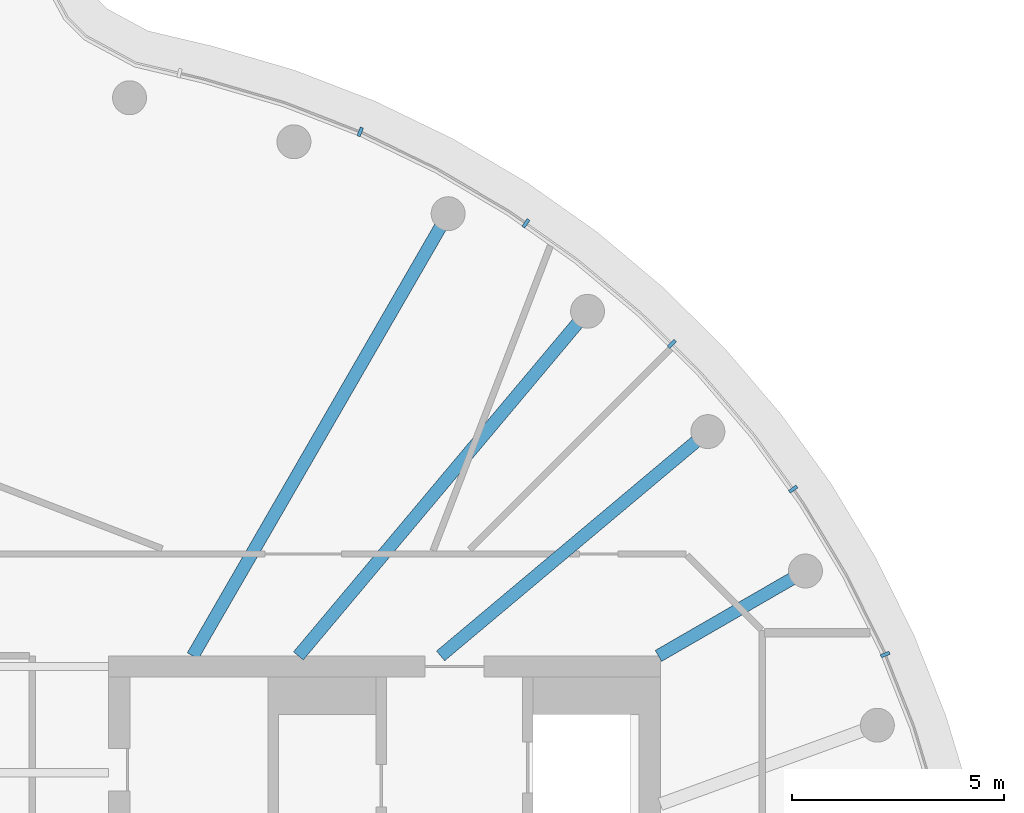
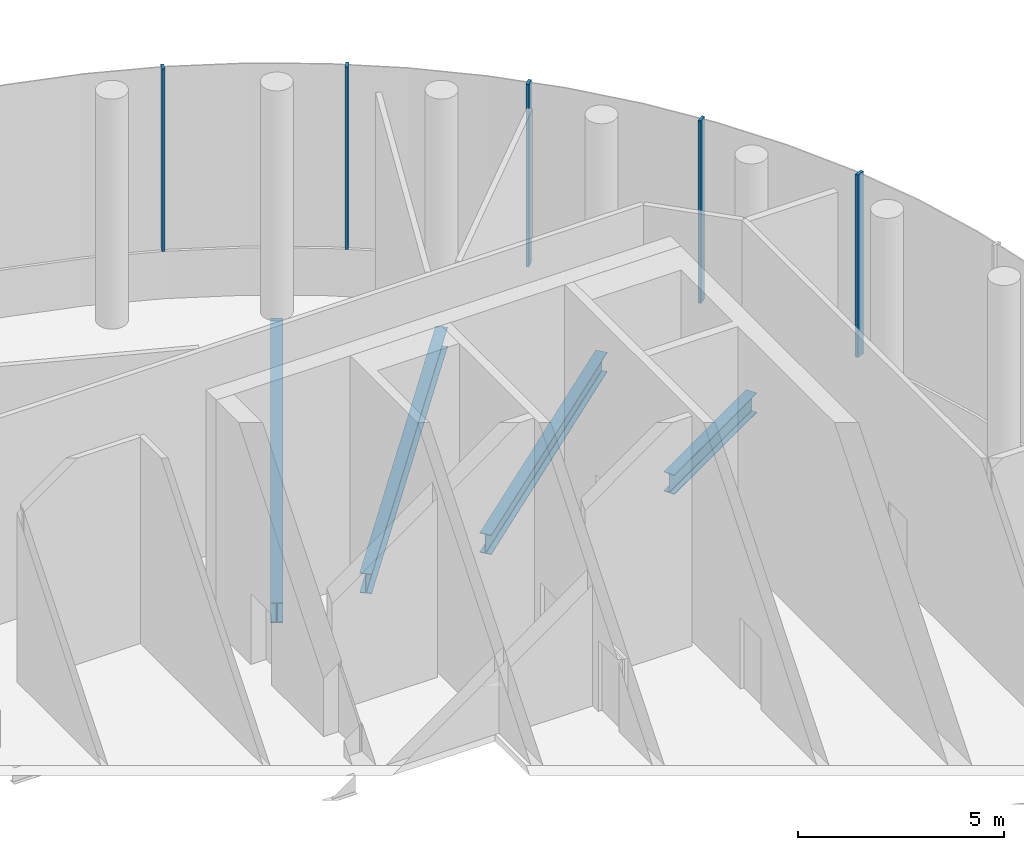
# One storey, part 6 of 12: 5 members, 4 beams, 1 element without a shape of its own.
"""IFC4 building model written with IfcOpenShell, lengths in metres."""

from ifc_helpers import new_model, si_unit, direction, frame, origin, origin_2d, place, context, subcontext, project, spatial, rectangle, i_section, extrude, material, layer, layer_set, material_profile, profile_set, type_object, element, aggregate, save


model = new_model("IFC4")

# Units and contexts
model_context = context("Model", 3, precision=1e-05, world=origin(), true_north=direction((0.0, 1.0)))
body_context = subcontext(model_context, "Body", "Model", "MODEL_VIEW")
ifc_project = project(units=[si_unit("LENGTHUNIT", "METRE"), si_unit("AREAUNIT", "SQUARE_METRE"), si_unit("VOLUMEUNIT", "CUBIC_METRE"), si_unit("PLANEANGLEUNIT", "RADIAN"), si_unit("MASSUNIT", "GRAM", prefix="KILO")], contexts=[model_context])

# Site, building, storey
site_placement = place(None, origin())
site = spatial("IfcSite", under=ifc_project, at=site_placement, CompositionType="ELEMENT")
building_placement = place(site_placement, origin())
building = spatial("IfcBuilding", under=site, at=building_placement, Name="Tamarind Cross Interchange Tower", CompositionType="ELEMENT")
storey_placement = place(building_placement, frame((0.0, 0.0, 287.39990234375)))
storey = spatial("IfcBuildingStorey", under=building, at=storey_placement, Name="L72", CompositionType="ELEMENT", Elevation=287.39990234375)

# Beams
ifc_material_1 = material(Name="Steel Q355B", Category="steel")
ifc_material_profile_1 = material_profile(ifc_material_1, i_section(OverallWidth=0.300048828125, OverallDepth=0.58203125, WebThickness=0.011962890625, FlangeThickness=0.01708984375, FilletRadius=0.01806640625, at=origin_2d()), Name="HM 582x300x12x17")
ifc_profile_set_1 = profile_set([ifc_material_profile_1], Name="Steel Q355B")
beam_type = type_object("IfcBeamType", Name="Composite beam HM 582x300x12x17 Q355B", PredefinedType="BEAM", material=ifc_profile_set_1)
beam_1_placement = place(storey_placement, frame((19.918701171875, 11.5, -0.490966796875), z_axis=(-0.866026010844, -0.49999894854, 0.0), x_axis=(0.49999894854, -0.866026010844, 0.0)))
element("IfcBeam", 1, at=beam_1_placement, inside=storey, type_object=beam_type, Name="Beam HH03", PredefinedType="BEAM", context=body_context, shape_type="SweptSolid", body=[
    extrude(i_section(OverallWidth=0.300048828125, OverallDepth=0.58203125, WebThickness=0.011962890625, FlangeThickness=0.01708984375, FilletRadius=0.01806640625, at=origin_2d()), origin(), (0.0, 0.0, 1.0), 4.0),
])
beam_2_placement = place(storey_placement, frame((17.619140625, 14.7841796875, -0.490966796875), z_axis=(-0.766040580814, -0.642792212574, 0.0), x_axis=(0.642792212574, -0.766040580814, 0.0)))
element("IfcBeam", 2, at=beam_2_placement, inside=storey, type_object=beam_type, Name="Beam HH04", PredefinedType="BEAM", context=body_context, shape_type="SweptSolid", body=[
    extrude(i_section(OverallWidth=0.300048828125, OverallDepth=0.58203125, WebThickness=0.011962890625, FlangeThickness=0.01708984375, FilletRadius=0.01806640625, at=origin_2d()), origin(), (0.0, 0.0, 1.0), 8.220703125),
])
beam_3_placement = place(storey_placement, frame((14.7841796875, 17.619140625, -0.490966796875), z_axis=(-0.642786293979, -0.766045547127, 0.0), x_axis=(0.766045547127, -0.642786293979, 0.0)))
element("IfcBeam", 3, at=beam_3_placement, inside=storey, type_object=beam_type, Name="Beam HH05", PredefinedType="BEAM", context=body_context, shape_type="SweptSolid", body=[
    extrude(i_section(OverallWidth=0.300048828125, OverallDepth=0.58203125, WebThickness=0.011962890625, FlangeThickness=0.01708984375, FilletRadius=0.01806640625, at=origin_2d()), origin(), (0.0, 0.0, 1.0), 10.598876953125),
])
beam_4_placement = place(storey_placement, frame((11.5, 19.918701171875, -0.490966796875), z_axis=(-0.499993565836, -0.866029118519, 0.0), x_axis=(0.866029118519, -0.499993565836, 0.0)))
element("IfcBeam", 4, at=beam_4_placement, inside=storey, type_object=beam_type, Name="Beam HH06", PredefinedType="BEAM", context=body_context, shape_type="SweptSolid", body=[
    extrude(i_section(OverallWidth=0.300048828125, OverallDepth=0.58203125, WebThickness=0.011962890625, FlangeThickness=0.01708984375, FilletRadius=0.01806640625, at=origin_2d()), origin(), (0.0, 0.0, 1.0), 12.030517578125),
])

# Curtain wall, members
ifc_material_2 = material(Name="Aluminium 6063-T6", Category="aluminium")
ifc_layer = layer(ifc_material_2, 0.219970703125)
ifc_layer_set = layer_set([ifc_layer], Name="Aluminium 6063-T6")
curtain_wall_type = type_object("IfcCurtainWallType", Name="Observation deck curtain wall", PredefinedType="NOTDEFINED", material=ifc_layer_set)
curtain_wall_placement = place(storey_placement, origin())
curtain_wall = element("IfcCurtainWall", 5, at=curtain_wall_placement, inside=storey, type_object=curtain_wall_type, Name="CWS-L72-02", PredefinedType="NOTDEFINED")
ifc_material_profile_2 = material_profile(ifc_material_2, rectangle(XDim=0.080078125, YDim=0.219970703125, at=origin_2d()), Name="Mullion CW5")
ifc_profile_set_2 = profile_set([ifc_material_profile_2], Name="Aluminium 6063-T6")
member_type = type_object("IfcMemberType", Name="Mullion CW5", PredefinedType="MULLION", material=ifc_profile_set_2)
member_1_placement = place(storey_placement, frame((21.79736328125, 9.532958984375, 1.400146484375), z_axis=(0.0, 0.0, 1.0), x_axis=(-0.367513773146, 0.930018078613, 0.0)))
member_1 = element("IfcMember", 6, at=member_1_placement, type_object=member_type, Name="CWM-L72-02-24", PredefinedType="MULLION", context=body_context, shape_type="SweptSolid", body=[
    extrude(rectangle(XDim=0.080078125, YDim=0.219970703125, at=origin_2d()), origin(), (0.0, 0.0, 1.0), 5.39990234375),
])
member_2_placement = place(storey_placement, frame((19.628173828125, 13.42919921875, 1.400146484375), z_axis=(0.0, 0.0, 1.0), x_axis=(-0.584573890505, 0.811340475102, 0.0)))
member_2 = element("IfcMember", 7, at=member_2_placement, type_object=member_type, Name="CWM-L72-02-25", PredefinedType="MULLION", context=body_context, shape_type="SweptSolid", body=[
    extrude(rectangle(XDim=0.080078125, YDim=0.219970703125, at=origin_2d()), origin(), (0.0, 0.0, 1.0), 5.39990234375),
])
member_3_placement = place(storey_placement, frame((16.77099609375, 16.8525390625, 1.400146484375), z_axis=(0.0, 0.0, 1.0), x_axis=(-0.710143317658, 0.704057148523, 0.0)))
member_3 = element("IfcMember", 8, at=member_3_placement, type_object=member_type, Name="CWM-L72-02-26", PredefinedType="MULLION", context=body_context, shape_type="SweptSolid", body=[
    extrude(rectangle(XDim=0.080078125, YDim=0.219970703125, at=origin_2d()), origin(), (0.0, 0.0, 1.0), 5.39990234375),
])
member_4_placement = place(storey_placement, frame((13.332763671875, 19.69140625, 1.400146484375), z_axis=(0.0, 0.0, 1.0), x_axis=(-0.816341886298, 0.577568978284, 0.0)))
member_4 = element("IfcMember", 9, at=member_4_placement, type_object=member_type, Name="CWM-L72-02-27", PredefinedType="MULLION", context=body_context, shape_type="SweptSolid", body=[
    extrude(rectangle(XDim=0.080078125, YDim=0.219970703125, at=origin_2d()), origin(), (0.0, 0.0, 1.0), 5.39990234375),
])
member_5_placement = place(storey_placement, frame((9.428466796875, 21.846435546875, 1.400146484375), z_axis=(0.0, 0.0, 1.0), x_axis=(-0.933146843667, 0.359495435512, 0.0)))
member_5 = element("IfcMember", 10, at=member_5_placement, type_object=member_type, Name="CWM-L72-02-28", PredefinedType="MULLION", context=body_context, shape_type="SweptSolid", body=[
    extrude(rectangle(XDim=0.080078125, YDim=0.219970703125, at=origin_2d()), origin(), (0.0, 0.0, 1.0), 5.39990234375),
])
aggregate(curtain_wall, [member_1, member_2, member_3, member_4, member_5])

save(model, "model.ifc")
